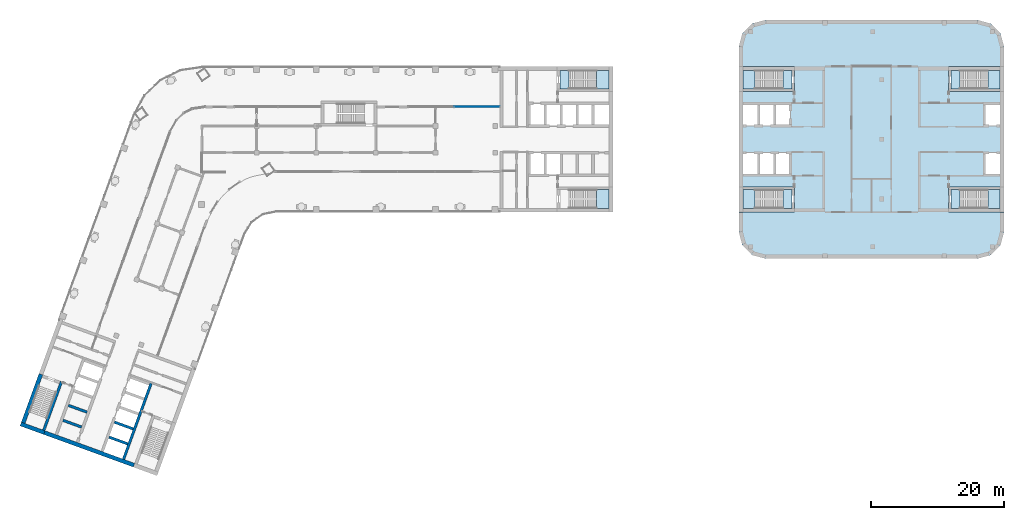
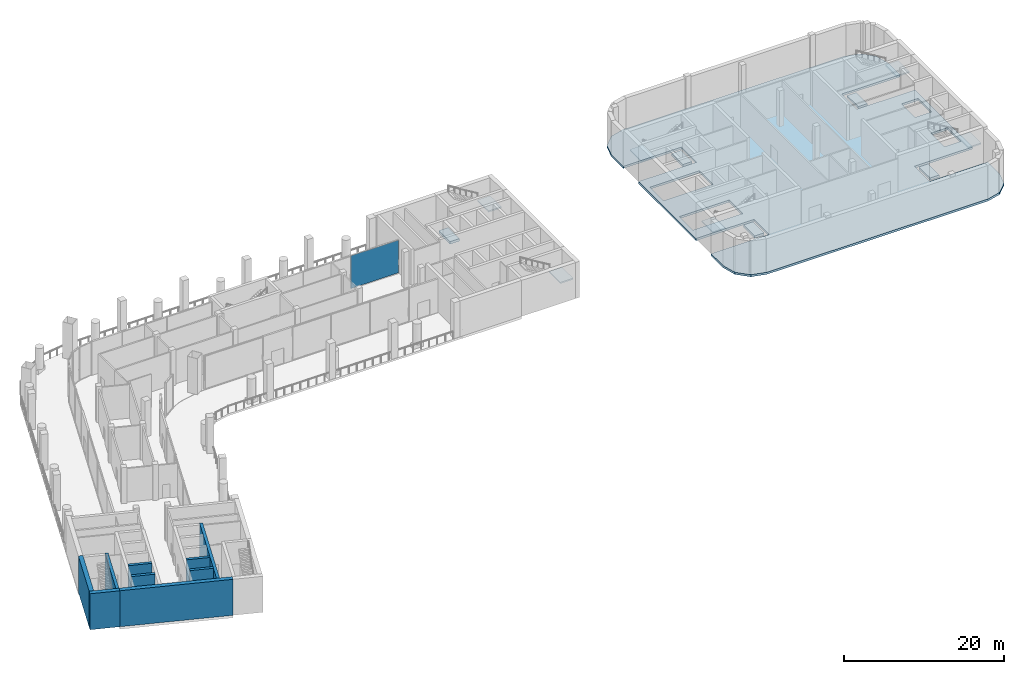
# One storey, part 8 of 19: 12 slabs, 9 walls, 1 plate, 7 elements without a shape of their own.
"""IFC4 building model written with IfcOpenShell, lengths in metres."""

from ifc_helpers import new_model, si_unit, direction, frame, frame_2d, origin, origin_2d, place, context, subcontext, project, spatial, polyline, rectangle, outline, extrude, material, layer, layer_set, type_object, element, aggregate, save


model = new_model("IFC4")

# Units and contexts
model_context = context("Model", 3, precision=1e-05, world=origin(), true_north=direction((0.0, 1.0)))
body_context = subcontext(model_context, "Body", "Model", "MODEL_VIEW")
ifc_project = project(units=[si_unit("LENGTHUNIT", "METRE"), si_unit("AREAUNIT", "SQUARE_METRE"), si_unit("VOLUMEUNIT", "CUBIC_METRE"), si_unit("PLANEANGLEUNIT", "RADIAN"), si_unit("MASSUNIT", "GRAM", prefix="KILO")], contexts=[model_context])

# Site, building, storey
site_placement = place(None, origin())
site = spatial("IfcSite", under=ifc_project, at=site_placement, CompositionType="ELEMENT")
building_placement = place(site_placement, origin())
building = spatial("IfcBuilding", under=site, at=building_placement, Name="Skarvind Civic Tower", CompositionType="ELEMENT")
storey_placement = place(building_placement, frame((0.0, 0.0, 75.5)))
storey = spatial("IfcBuildingStorey", under=building, at=storey_placement, Name="L17", CompositionType="ELEMENT", Elevation=75.5)

# Curtain wall, plate
ifc_material_1 = material(Name="Aluminium alloy 6063 and laminated glass", Category="aluminium")
curtain_wall_type = type_object("IfcCurtainWallType", Name="CW3 SEPARATOR INNER GLAZING", PredefinedType="NOTDEFINED", material=ifc_material_1)
curtain_wall_placement = place(storey_placement, origin())
curtain_wall = element("IfcCurtainWall", 1, at=curtain_wall_placement, inside=storey, type_object=curtain_wall_type, Name="SEPARATOR INNER GLAZING", PredefinedType="NOTDEFINED")
ifc_material_2 = material(Name="Laminated low-iron glass", Category="glass")
ifc_layer_1 = layer(ifc_material_2, 0.031982421875)
ifc_layer_set_1 = layer_set([ifc_layer_1], Name="CW3 GLASS PANEL 32")
plate_type = type_object("IfcPlateType", Name="CW3 GLASS PANEL 32", PredefinedType="CURTAIN_PANEL", material=ifc_layer_set_1)
plate_placement = place(storey_placement, frame((87.49755859375, 132.89990234375, 0.06005859375), z_axis=(0.0, 0.0, 1.0), x_axis=(1.0, 0.0, 0.0)))
plate = element("IfcPlate", 2, at=plate_placement, type_object=plate_type, Name="CW3 panel 2.1", PredefinedType="CURTAIN_PANEL", context=body_context, shape_type="SweptSolid", body=[
    extrude(rectangle(XDim=6.885009765625, YDim=0.031982421875, at=origin_2d()), origin(), (0.0, 0.0, 1.0), 5.0048828125),
])
aggregate(curtain_wall, [plate])

# Slabs
ifc_material_3 = material(Name="Concrete C50", Category="concrete")
ifc_layer_2 = layer(ifc_material_3, 0.324951171875)
ifc_layer_set_2 = layer_set([ifc_layer_2], Name="Second tower floor slab 325 C50")
slab_type_1 = type_object("IfcSlabType", Name="Second tower floor slab 325 C50", PredefinedType="FLOOR", material=ifc_layer_set_2)
slab_1_placement = place(storey_placement, frame((0.0, 0.0, -0.324951171875)))
element("IfcSlab", 3, at=slab_1_placement, inside=storey, type_object=slab_type_1, Name="Floor slab L17 1", PredefinedType="FLOOR", context=body_context, shape_type="SweptSolid", body=[
    extrude(outline(polyline([(127.0, 139.0), (135.39990234375, 139.0), (135.39990234375, 135.199951171875), (127.0, 135.199951171875), (127.0, 120.800048828125), (135.39990234375, 120.800048828125), (135.39990234375, 117.0), (127.0, 117.0), (127.0, 114.0), (127.535888671875, 112.0), (129.0, 110.535888671875), (131.0, 110.0), (163.0, 110.0), (165.0, 110.535888671875), (166.464111328125, 112.0), (167.0, 114.0), (167.0, 117.0), (158.60009765625, 117.0), (158.60009765625, 120.800048828125), (167.0, 120.800048828125), (167.0, 135.199951171875), (158.60009765625, 135.199951171875), (158.60009765625, 139.0), (167.0, 139.0), (167.0, 142.0), (166.464111328125, 144.0), (165.0, 145.464111328125), (163.0, 146.0), (131.0, 146.0), (129.0, 145.464111328125), (127.535888671875, 144.0), (127.0, 142.0), (127.0, 139.0)]), holes=[polyline([(132.39990234375, 126.0), (134.800048828125, 126.0), (134.800048828125, 122.60009765625), (132.39990234375, 122.60009765625), (130.0, 122.60009765625), (127.60009765625, 122.60009765625), (127.60009765625, 126.0), (130.0, 126.0), (132.39990234375, 126.0)]), polyline([(130.0, 133.39990234375), (132.39990234375, 133.39990234375), (134.800048828125, 133.39990234375), (134.800048828125, 130.0), (132.39990234375, 130.0), (130.0, 130.0), (127.60009765625, 130.0), (127.60009765625, 133.39990234375), (130.0, 133.39990234375)]), polyline([(166.39990234375, 126.0), (166.39990234375, 122.60009765625), (164.0, 122.60009765625), (164.0, 126.0), (166.39990234375, 126.0)]), polyline([(166.39990234375, 133.39990234375), (166.39990234375, 130.0), (164.0, 130.0), (164.0, 133.39990234375), (166.39990234375, 133.39990234375)])]), origin(), (0.0, 0.0, 1.0), 0.324951171875),
])
ifc_material_4 = material(Name="Concrete C40/50", Category="concrete")
ifc_layer_3 = layer(ifc_material_4, 0.375)
ifc_layer_set_3 = layer_set([ifc_layer_3], Name="Stair floor landing slab 375")
slab_type_2 = type_object("IfcSlabType", Name="Stair floor landing slab 375", PredefinedType="LANDING", material=ifc_layer_set_3)
slab_2_placement = place(storey_placement, frame((0.0, 0.0, -0.375)))
element("IfcSlab", 4, at=slab_2_placement, inside=storey, type_object=slab_type_2, Name="Stair floor landing", PredefinedType="LANDING", context=body_context, shape_type="SweptSolid", body=[
    extrude(outline(polyline([(101.3505859375, 138.400634765625), (101.3505859375, 135.599365234375), (99.99951171875, 135.599365234375), (99.99951171875, 138.400634765625), (101.3505859375, 138.400634765625)])), origin(), (0.0, 0.0, 1.0), 0.375),
])
slab_3_placement = place(storey_placement, frame((0.0, 0.0, -0.375)))
element("IfcSlab", 5, at=slab_3_placement, inside=storey, type_object=slab_type_2, Name="Stair floor landing", PredefinedType="LANDING", context=body_context, shape_type="SweptSolid", body=[
    extrude(outline(polyline([(133.6494140625, 117.599365234375), (133.6494140625, 120.400634765625), (135.00048828125, 120.400634765625), (135.00048828125, 117.599365234375), (133.6494140625, 117.599365234375)])), origin(), (0.0, 0.0, 1.0), 0.375),
])
slab_4_placement = place(storey_placement, frame((0.0, 0.0, -0.375)))
element("IfcSlab", 6, at=slab_4_placement, inside=storey, type_object=slab_type_2, Name="Stair floor landing", PredefinedType="LANDING", context=body_context, shape_type="SweptSolid", body=[
    extrude(outline(polyline([(133.6494140625, 135.599365234375), (133.6494140625, 138.400634765625), (135.00048828125, 138.400634765625), (135.00048828125, 135.599365234375), (133.6494140625, 135.599365234375)])), origin(), (0.0, 0.0, 1.0), 0.375),
])
slab_5_placement = place(storey_placement, frame((0.0, 0.0, -0.375)))
element("IfcSlab", 7, at=slab_5_placement, inside=storey, type_object=slab_type_2, Name="Stair floor landing", PredefinedType="LANDING", context=body_context, shape_type="SweptSolid", body=[
    extrude(outline(polyline([(160.3505859375, 138.400634765625), (160.3505859375, 135.599365234375), (158.99951171875, 135.599365234375), (158.99951171875, 138.400634765625), (160.3505859375, 138.400634765625)])), origin(), (0.0, 0.0, 1.0), 0.375),
])
slab_6_placement = place(storey_placement, frame((0.0, 0.0, -0.375)))
element("IfcSlab", 8, at=slab_6_placement, inside=storey, type_object=slab_type_2, Name="Stair floor landing", PredefinedType="LANDING", context=body_context, shape_type="SweptSolid", body=[
    extrude(outline(polyline([(160.3505859375, 120.400634765625), (160.3505859375, 117.599365234375), (158.99951171875, 117.599365234375), (158.99951171875, 120.400634765625), (160.3505859375, 120.400634765625)])), origin(), (0.0, 0.0, 1.0), 0.375),
])

# Stair, slab
stair_type = type_object("IfcStairType", Name="Exit stair, half-turn, concrete", PredefinedType="HALF_TURN_STAIR", material=ifc_material_4)
stair_1_placement = place(storey_placement, origin())
stair_1 = element("IfcStair", 9, at=stair_1_placement, inside=storey, type_object=stair_type, Name="Exit stair C1S", PredefinedType="HALF_TURN_STAIR")
ifc_layer_4 = layer(ifc_material_4, 0.199951171875)
ifc_layer_set_4 = layer_set([ifc_layer_4], Name="Stair half landing slab")
slab_type_3 = type_object("IfcSlabType", Name="Stair half landing slab", PredefinedType="LANDING", material=ifc_layer_set_4)
slab_7_placement = place(storey_placement, frame((0.0, 0.0, 2.550048828125)))
slab_7 = element("IfcSlab", 10, at=slab_7_placement, type_object=slab_type_3, Name="ST-C1S landing 1", PredefinedType="LANDING", context=body_context, shape_type="SweptSolid", body=[
    extrude(outline(polyline([(105.54931640625, 135.599365234375), (105.54931640625, 138.400634765625), (107.400634765625, 138.400634765625), (107.400634765625, 135.599365234375), (105.54931640625, 135.599365234375)])), origin(), (0.0, 0.0, 1.0), 0.199951171875),
])
aggregate(stair_1, [slab_7])

stair_2_placement = place(storey_placement, origin())
stair_2 = element("IfcStair", 11, at=stair_2_placement, inside=storey, type_object=stair_type, Name="Exit stair C1N", PredefinedType="HALF_TURN_STAIR")
slab_8_placement = place(storey_placement, frame((0.0, 0.0, 2.550048828125)))
slab_8 = element("IfcSlab", 12, at=slab_8_placement, type_object=slab_type_3, Name="ST-C1N landing 1", PredefinedType="LANDING", context=body_context, shape_type="SweptSolid", body=[
    extrude(outline(polyline([(105.54931640625, 117.599365234375), (105.54931640625, 120.400634765625), (107.400634765625, 120.400634765625), (107.400634765625, 117.599365234375), (105.54931640625, 117.599365234375)])), origin(), (0.0, 0.0, 1.0), 0.199951171875),
])
aggregate(stair_2, [slab_8])

stair_3_placement = place(storey_placement, origin())
stair_3 = element("IfcStair", 13, at=stair_3_placement, inside=storey, type_object=stair_type, Name="Exit stair CAS", PredefinedType="HALF_TURN_STAIR")
slab_9_placement = place(storey_placement, frame((0.0, 0.0, 2.550048828125)))
slab_9 = element("IfcSlab", 14, at=slab_9_placement, type_object=slab_type_3, Name="ST-CAS landing 1", PredefinedType="LANDING", context=body_context, shape_type="SweptSolid", body=[
    extrude(outline(polyline([(129.45068359375, 120.400634765625), (129.45068359375, 117.599365234375), (127.599365234375, 117.599365234375), (127.599365234375, 120.400634765625), (129.45068359375, 120.400634765625)])), origin(), (0.0, 0.0, 1.0), 0.199951171875),
])
aggregate(stair_3, [slab_9])

stair_4_placement = place(storey_placement, origin())
stair_4 = element("IfcStair", 15, at=stair_4_placement, inside=storey, type_object=stair_type, Name="Exit stair CAN", PredefinedType="HALF_TURN_STAIR")
slab_10_placement = place(storey_placement, frame((0.0, 0.0, 2.550048828125)))
slab_10 = element("IfcSlab", 16, at=slab_10_placement, type_object=slab_type_3, Name="ST-CAN landing 1", PredefinedType="LANDING", context=body_context, shape_type="SweptSolid", body=[
    extrude(outline(polyline([(129.45068359375, 138.400634765625), (129.45068359375, 135.599365234375), (127.599365234375, 135.599365234375), (127.599365234375, 138.400634765625), (129.45068359375, 138.400634765625)])), origin(), (0.0, 0.0, 1.0), 0.199951171875),
])
aggregate(stair_4, [slab_10])

stair_5_placement = place(storey_placement, origin())
stair_5 = element("IfcStair", 17, at=stair_5_placement, inside=storey, type_object=stair_type, Name="Exit stair CBS", PredefinedType="HALF_TURN_STAIR")
slab_11_placement = place(storey_placement, frame((0.0, 0.0, 2.550048828125)))
slab_11 = element("IfcSlab", 18, at=slab_11_placement, type_object=slab_type_3, Name="ST-CBS landing 1", PredefinedType="LANDING", context=body_context, shape_type="SweptSolid", body=[
    extrude(outline(polyline([(164.54931640625, 135.599365234375), (164.54931640625, 138.400634765625), (166.400634765625, 138.400634765625), (166.400634765625, 135.599365234375), (164.54931640625, 135.599365234375)])), origin(), (0.0, 0.0, 1.0), 0.199951171875),
])
aggregate(stair_5, [slab_11])

stair_6_placement = place(storey_placement, origin())
stair_6 = element("IfcStair", 19, at=stair_6_placement, inside=storey, type_object=stair_type, Name="Exit stair CBN", PredefinedType="HALF_TURN_STAIR")
slab_12_placement = place(storey_placement, frame((0.0, 0.0, 2.550048828125)))
slab_12 = element("IfcSlab", 20, at=slab_12_placement, type_object=slab_type_3, Name="ST-CBN landing 1", PredefinedType="LANDING", context=body_context, shape_type="SweptSolid", body=[
    extrude(outline(polyline([(164.54931640625, 117.599365234375), (164.54931640625, 120.400634765625), (166.400634765625, 120.400634765625), (166.400634765625, 117.599365234375), (164.54931640625, 117.599365234375)])), origin(), (0.0, 0.0, 1.0), 0.199951171875),
])
aggregate(stair_6, [slab_12])

# Walls
ifc_material_5 = material(Name="Concrete C80", Category="concrete")
ifc_layer_5 = layer(ifc_material_5, 0.39990234375)
ifc_layer_set_5 = layer_set([ifc_layer_5], Name="Core wall 400 C80")
wall_type_1 = type_object("IfcWallType", Name="Core wall 400 C80", PredefinedType="SHEAR", material=ifc_layer_set_5)
wall_1_placement = place(storey_placement, frame((22.150390625, 84.110107421875, 0.0), z_axis=(0.0, 0.0, 1.0), x_axis=(0.342016982193, 0.939693771338, 0.0)))
element("IfcWall", 21, at=wall_1_placement, inside=storey, type_object=wall_type_1, Name="Core wall C2 north stair inner L17", PredefinedType="SHEAR", context=body_context, shape_type="SweptSolid", body=[
    extrude(rectangle(XDim=7.800048828125, YDim=0.39990234375, at=frame_2d((3.89990234375, 0.0))), origin(), (0.0, 0.0, 1.0), 5.5),
])
wall_2_placement = place(storey_placement, frame((34.178466796875, 79.732177734375, 0.0), z_axis=(0.0, 0.0, 1.0), x_axis=(0.342014590177, 0.939694641948, 0.0)))
element("IfcWall", 22, at=wall_2_placement, inside=storey, type_object=wall_type_1, Name="Core wall C2 south lift row back L17", PredefinedType="SHEAR", context=body_context, shape_type="SweptSolid", body=[
    extrude(rectangle(XDim=12.2001953125, YDim=0.39990234375, at=frame_2d((6.10009765625, 0.0))), origin(), (0.0, 0.0, 1.0), 5.5),
])
for number, where, z_axis, x_axis, name in (
    (23, (34.8115234375, 82.055908203125, 0.0), (0.0, 0.0, 1.0), (-0.939686455819, 0.342037080957, 0.0), "Core wall C2 south lift row division 1 L17"),
    (24, (35.63232421875, 84.311279296875, 0.0), (0.0, 0.0, 1.0), (-0.939712609717, 0.341965219194, 0.0), "Core wall C2 south lift row division 2 L17"),
    (25, (27.857666015625, 84.5869140625, 0.0), (0.0, 0.0, 1.0), (-0.939686455819, 0.342037080957, 0.0), "Core wall C2 north lift row division 1 L17"),
):
    element("IfcWall", number, at=place(storey_placement, frame(where, z_axis=z_axis, x_axis=x_axis)), inside=storey, type_object=wall_type_1, Name=name, PredefinedType="SHEAR", context=body_context, shape_type="SweptSolid", body=[
        extrude(rectangle(XDim=3.0, YDim=0.39990234375, at=frame_2d((1.5, 0.0))), origin(), (0.0, 0.0, 1.0), 5.5),
    ])
wall_3_placement = place(storey_placement, frame((28.678466796875, 86.842041015625, 0.0), z_axis=(0.0, 0.0, 1.0), x_axis=(-0.939676934218, 0.342063238742, 0.0)))
element("IfcWall", 26, at=wall_3_placement, inside=storey, type_object=wall_type_1, Name="Core wall C2 north lift row division 2 L17", PredefinedType="SHEAR", context=body_context, shape_type="SweptSolid", body=[
    extrude(rectangle(XDim=2.999755859375, YDim=0.39990234375, at=frame_2d((1.5, 0.0))), origin(), (0.0, 0.0, 1.0), 5.5),
])
ifc_layer_6 = layer(ifc_material_5, 0.60009765625)
ifc_layer_set_6 = layer_set([ifc_layer_6], Name="Core wall 600 C80")
wall_type_2 = type_object("IfcWallType", Name="Core wall 600 C80", PredefinedType="SHEAR", material=ifc_layer_set_6)
wall_4_placement = place(storey_placement, frame((35.767333984375, 78.834716796875, 0.0), z_axis=(0.0, 0.0, 1.0), x_axis=(-0.939692894512, 0.342019391267, 0.0)))
element("IfcWall", 27, at=wall_4_placement, inside=storey, type_object=wall_type_2, Name="Core wall C2 tip between the stairs L17", PredefinedType="SHEAR", context=body_context, shape_type="SweptSolid", body=[
    extrude(rectangle(XDim=14.39990234375, YDim=0.60009765625, at=frame_2d((7.199951171875, 0.0))), origin(), (0.0, 0.0, 1.0), 5.5),
])
wall_5_placement = place(storey_placement, frame((22.23583984375, 83.759765625, 0.0), z_axis=(0.0, 0.0, 1.0), x_axis=(-0.939680822529, 0.342052557032, 0.0)))
element("IfcWall", 28, at=wall_5_placement, inside=storey, type_object=wall_type_2, Name="Core wall C2 tip at the north stair L17", PredefinedType="SHEAR", context=body_context, shape_type="SweptSolid", body=[
    extrude(rectangle(XDim=3.800048828125, YDim=0.60009765625, at=frame_2d((1.89990234375, 0.0))), origin(), (0.0, 0.0, 1.0), 5.5),
])
wall_6_placement = place(storey_placement, frame((19.049560546875, 85.23876953125, 0.0), z_axis=(0.0, 0.0, 1.0), x_axis=(0.342016982193, 0.939693771338, 0.0)))
element("IfcWall", 29, at=wall_6_placement, inside=storey, type_object=wall_type_2, Name="Core wall C2 north side at the stair L17", PredefinedType="SHEAR", context=body_context, shape_type="SweptSolid", body=[
    extrude(rectangle(XDim=7.800048828125, YDim=0.60009765625, at=frame_2d((3.89990234375, 0.0))), origin(), (0.0, 0.0, 1.0), 5.5),
])

save(model, "model.ifc")
